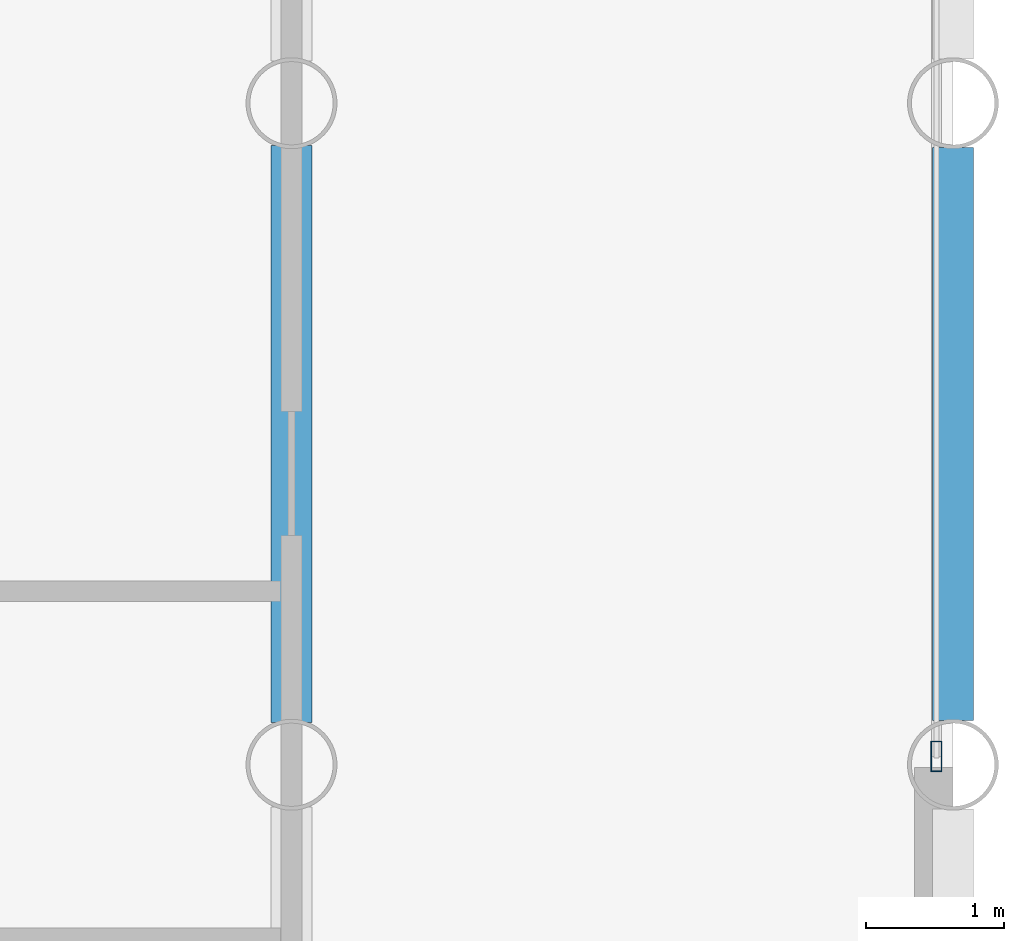
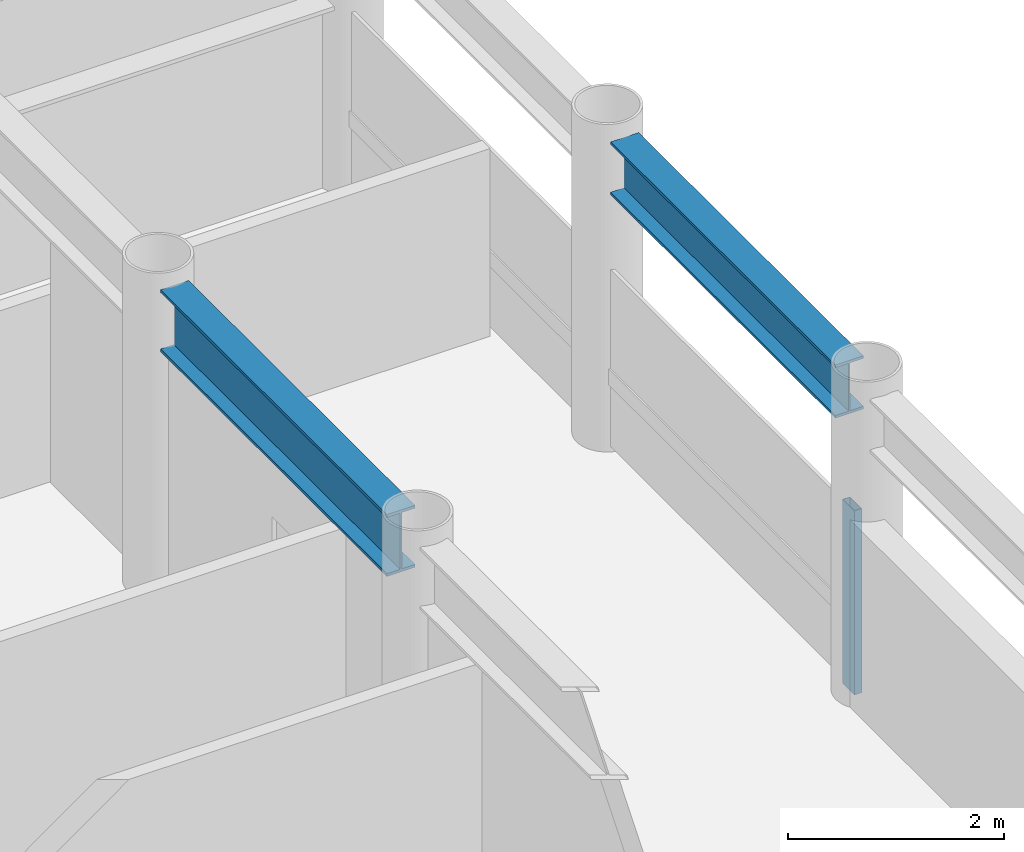
# One storey, part 9 of 22: 2 beams, 1 member, 1 element without a shape of its own.
"""IFC4 building model written with IfcOpenShell, lengths in metres."""

from ifc_helpers import new_model, si_unit, direction, frame, origin, origin_2d, place, context, subcontext, project, spatial, hollow_rectangle, i_section, extrude, material, layer, layer_set, material_profile, profile_set, type_object, element, aggregate, save


model = new_model("IFC4")

# Units and contexts
model_context = context("Model", 3, precision=1e-05, world=origin(), true_north=direction((0.0, 1.0)))
body_context = subcontext(model_context, "Body", "Model", "MODEL_VIEW")
ifc_project = project(units=[si_unit("LENGTHUNIT", "METRE"), si_unit("AREAUNIT", "SQUARE_METRE"), si_unit("VOLUMEUNIT", "CUBIC_METRE"), si_unit("PLANEANGLEUNIT", "RADIAN"), si_unit("MASSUNIT", "GRAM", prefix="KILO")], contexts=[model_context])

# Site, building, storey
site_placement = place(None, origin())
site = spatial("IfcSite", under=ifc_project, at=site_placement, CompositionType="ELEMENT")
building_placement = place(site_placement, origin())
building = spatial("IfcBuilding", under=site, at=building_placement, Name="Kallvorn Hotel Tower", CompositionType="ELEMENT")
storey_placement = place(building_placement, frame((0.0, 0.0, 95.199951171875)))
storey = spatial("IfcBuildingStorey", under=building, at=storey_placement, Name="L22", CompositionType="ELEMENT", Elevation=95.199951171875)

# Beams
ifc_material_1 = material(Name="Structural steel S355JR", Category="steel")
ifc_material_profile_1 = material_profile(ifc_material_1, i_section(OverallWidth=0.300048828125, OverallDepth=0.60009765625, WebThickness=0.015380859375, FlangeThickness=0.030029296875, at=origin_2d()), Name="HE 600 B")
ifc_profile_set_1 = profile_set([ifc_material_profile_1], Name="Structural steel S355JR")
beam_type_1 = type_object("IfcBeamType", Name="BM_HE600B", PredefinedType="SPANDREL", material=ifc_profile_set_1)
beam_1_placement = place(storey_placement, frame((33.60009765625, 0.320068359375, 3.219970703125), z_axis=(0.0, 1.0, 0.0), x_axis=(-1.0, 0.0, 0.0)))
element("IfcBeam", 1, at=beam_1_placement, inside=storey, type_object=beam_type_1, Name="L23 Perimeter Spandrel 185", PredefinedType="SPANDREL", context=body_context, shape_type="SweptSolid", body=[
    extrude(i_section(OverallWidth=0.300048828125, OverallDepth=0.60009765625, WebThickness=0.015380859375, FlangeThickness=0.030029296875, at=origin_2d()), origin(), (0.0, 0.0, 1.0), 4.159912109375),
])
ifc_material_2 = material(Name="Structural steel S355JR", Category="steel")
ifc_material_profile_2 = material_profile(ifc_material_2, i_section(OverallWidth=0.300048828125, OverallDepth=0.699951171875, WebThickness=0.01708984375, FlangeThickness=0.031982421875, at=origin_2d()), Name="HE 700 B")
ifc_profile_set_2 = profile_set([ifc_material_profile_2], Name="Structural steel S355JR")
beam_type_2 = type_object("IfcBeamType", Name="BM_HE700B", PredefinedType="BEAM", material=ifc_profile_set_2)
beam_2_placement = place(storey_placement, frame((28.800048828125, 0.304931640625, 3.170166015625), z_axis=(0.0, 1.0, 0.0), x_axis=(-1.0, 0.0, 0.0)))
element("IfcBeam", 2, at=beam_2_placement, inside=storey, type_object=beam_type_2, Name="L23 Primary Y-Girder 146", PredefinedType="BEAM", context=body_context, shape_type="SweptSolid", body=[
    extrude(i_section(OverallWidth=0.300048828125, OverallDepth=0.699951171875, WebThickness=0.01708984375, FlangeThickness=0.031982421875, at=origin_2d()), origin(), (0.0, 0.0, 1.0), 4.190185546875),
])

# Curtain wall, member
ifc_material_3 = material(Name="Thermally broken black-anodised aluminium AA 6063-T6", Category="aluminium")
ifc_layer = layer(ifc_material_3, 0.199951171875)
ifc_layer_set = layer_set([ifc_layer], Name="CW_SYS_3_HOTEL_LOW")
curtain_wall_type = type_object("IfcCurtainWallType", Name="CW_SYS_3_HOTEL_LOW", PredefinedType="USERDEFINED", material=ifc_layer_set)
curtain_wall_placement = place(storey_placement, origin())
curtain_wall = element("IfcCurtainWall", 3, at=curtain_wall_placement, inside=storey, type_object=curtain_wall_type, Name="L22 Dark-Glass Curtain Wall CW-L22-EN", ObjectType="UNITISED CURTAIN WALL", PredefinedType="USERDEFINED")
ifc_material_4 = material(Name="Thermally broken black-anodised aluminium AA 6063-T6", Category="aluminium")
ifc_material_profile_3 = material_profile(ifc_material_4, hollow_rectangle(XDim=0.080078125, YDim=0.219970703125, WallThickness=0.0048828125, at=origin_2d()), Name="MUL 220x80")
ifc_profile_set_3 = profile_set([ifc_material_profile_3], Name="Thermally broken black-anodised aluminium AA 6063-T6")
member_type = type_object("IfcMemberType", Name="CW_MULLION_220x80", PredefinedType="MULLION", material=ifc_profile_set_3)
member_placement = place(storey_placement, frame((33.47998046875, 0.06005859375, 0.02001953125), z_axis=(0.0, 0.0, 1.0), x_axis=(1.0, 0.0, 0.0)))
member = element("IfcMember", 4, at=member_placement, type_object=member_type, Name="CW-L22-EN Mullion 00", PredefinedType="MULLION", context=body_context, shape_type="SweptSolid", body=[
    extrude(hollow_rectangle(XDim=0.080078125, YDim=0.219970703125, WallThickness=0.0048828125, at=origin_2d()), origin(), (0.0, 0.0, 1.0), 2.080078125),
])
aggregate(curtain_wall, [member])

save(model, "model.ifc")
